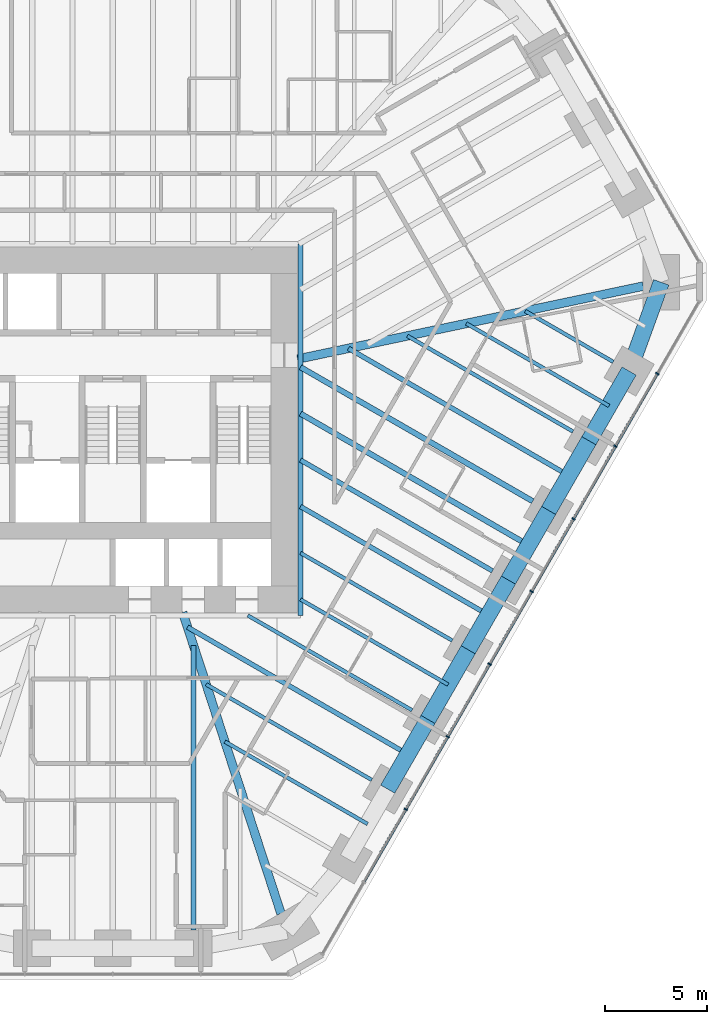
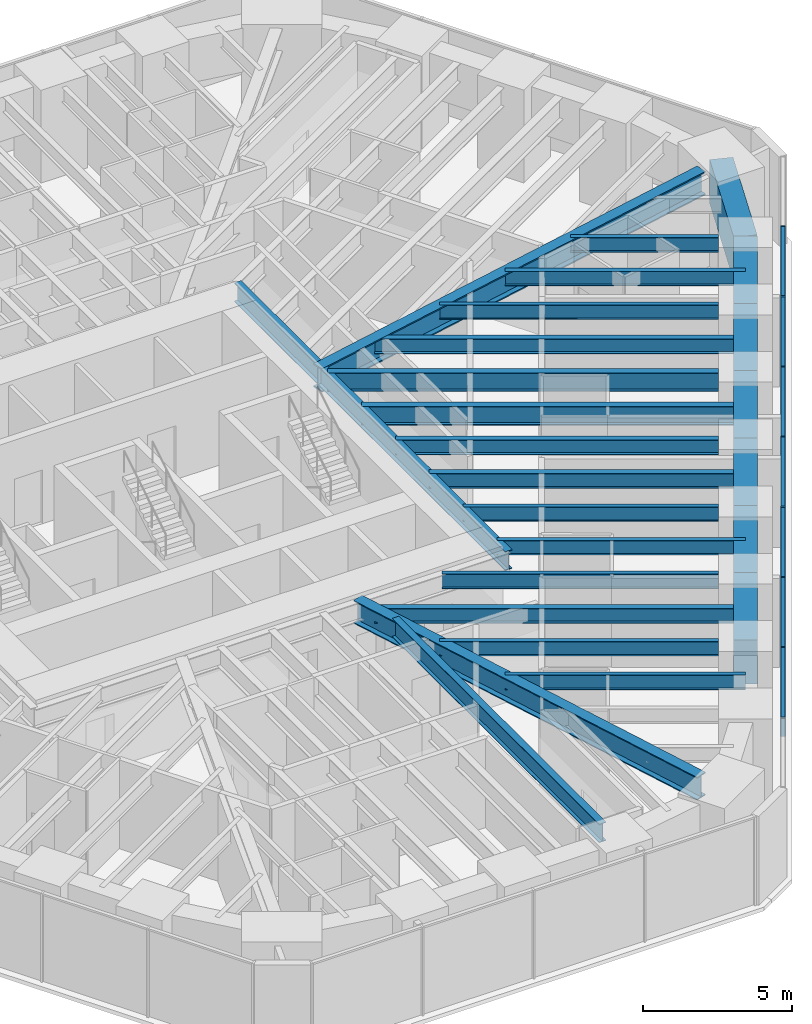
# One storey, part 5 of 17: 25 beams, 14 members, 1 element without a shape of its own.
"""IFC4 building model written with IfcOpenShell, lengths in metres."""

from ifc_helpers import new_model, si_unit, direction, frame, origin, origin_2d, place, context, subcontext, project, spatial, rectangle, i_section, extrude, material, material_profile, profile_set, type_object, element, aggregate, save


model = new_model("IFC4")

# Units and contexts
model_context = context("Model", 3, precision=1e-05, world=origin(), true_north=direction((0.0, 1.0)))
body_context = subcontext(model_context, "Body", "Model", "MODEL_VIEW")
ifc_project = project(units=[si_unit("LENGTHUNIT", "METRE"), si_unit("AREAUNIT", "SQUARE_METRE"), si_unit("VOLUMEUNIT", "CUBIC_METRE"), si_unit("PLANEANGLEUNIT", "RADIAN"), si_unit("MASSUNIT", "GRAM", prefix="KILO")], contexts=[model_context])

# Site, building, storey
site_placement = place(None, origin())
site = spatial("IfcSite", under=ifc_project, at=site_placement, CompositionType="ELEMENT")
building_placement = place(site_placement, origin())
building = spatial("IfcBuilding", under=site, at=building_placement, Name="Sandreach Pilgrim Tower", CompositionType="ELEMENT")
storey_placement = place(building_placement, frame((0.0, 0.0, 112.0)))
storey = spatial("IfcBuildingStorey", under=building, at=storey_placement, Name="L27", CompositionType="ELEMENT", Elevation=112.0)

# Curtain wall, members
ifc_material_1 = material(Name="Aluminium framed curtain wall", Category="aluminium")
curtain_wall_type = type_object("IfcCurtainWallType", Name="Hotel tower curtain wall", PredefinedType="NOTDEFINED", material=ifc_material_1)
curtain_wall_placement = place(storey_placement, origin())
curtain_wall = element("IfcCurtainWall", 1, at=curtain_wall_placement, inside=storey, type_object=curtain_wall_type, Name="CW-2 L27 SE", PredefinedType="NOTDEFINED")
ifc_material_2 = material(Name="Aluminium extrusion", Category="aluminium")
ifc_material_profile_1 = material_profile(ifc_material_2, rectangle(XDim=0.06494140625, YDim=0.179931640625, at=origin_2d()), Name="CW-2M 65X180")
ifc_profile_set_1 = profile_set([ifc_material_profile_1], Name="Aluminium extrusion")
member_type_1 = type_object("IfcMemberType", Name="CW-2 mullion", PredefinedType="MULLION", material=ifc_profile_set_1)
member_1_placement = place(storey_placement, frame((26.66748046875, 1.20166015625, 0.0), z_axis=(0.0, 0.0, 1.0), x_axis=(-0.5, -0.866025403784, 0.0)))
member_1 = element("IfcMember", 2, at=member_1_placement, type_object=member_type_1, Name="CW-2 mullion 2", PredefinedType="MULLION", context=body_context, shape_type="SweptSolid", body=[
    extrude(rectangle(XDim=0.06494140625, YDim=0.179931640625, at=origin_2d()), origin(), (0.0, 0.0, 1.0), 3.639892578125),
])
member_2_placement = place(storey_placement, frame((24.614013671875, -2.35498046875, 0.0), z_axis=(0.0, 0.0, 1.0), x_axis=(-0.5, -0.866025403784, 0.0)))
member_2 = element("IfcMember", 3, at=member_2_placement, type_object=member_type_1, Name="CW-2 mullion 3", PredefinedType="MULLION", context=body_context, shape_type="SweptSolid", body=[
    extrude(rectangle(XDim=0.06494140625, YDim=0.179931640625, at=origin_2d()), origin(), (0.0, 0.0, 1.0), 3.639892578125),
])
member_3_placement = place(storey_placement, frame((22.560302734375, -5.911865234375, 0.0), z_axis=(0.0, 0.0, 1.0), x_axis=(-0.5, -0.866025403784, 0.0)))
member_3 = element("IfcMember", 4, at=member_3_placement, type_object=member_type_1, Name="CW-2 mullion 4", PredefinedType="MULLION", context=body_context, shape_type="SweptSolid", body=[
    extrude(rectangle(XDim=0.06494140625, YDim=0.179931640625, at=origin_2d()), origin(), (0.0, 0.0, 1.0), 3.639892578125),
])
member_4_placement = place(storey_placement, frame((20.5068359375, -9.468505859375, 0.0), z_axis=(0.0, 0.0, 1.0), x_axis=(-0.5, -0.866025403784, 0.0)))
member_4 = element("IfcMember", 5, at=member_4_placement, type_object=member_type_1, Name="CW-2 mullion 5", PredefinedType="MULLION", context=body_context, shape_type="SweptSolid", body=[
    extrude(rectangle(XDim=0.06494140625, YDim=0.179931640625, at=origin_2d()), origin(), (0.0, 0.0, 1.0), 3.639892578125),
])
member_5_placement = place(storey_placement, frame((18.453369140625, -13.025146484375, 0.0), z_axis=(0.0, 0.0, 1.0), x_axis=(-0.5, -0.866025403784, 0.0)))
member_5 = element("IfcMember", 6, at=member_5_placement, type_object=member_type_1, Name="CW-2 mullion 6", PredefinedType="MULLION", context=body_context, shape_type="SweptSolid", body=[
    extrude(rectangle(XDim=0.06494140625, YDim=0.179931640625, at=origin_2d()), origin(), (0.0, 0.0, 1.0), 3.639892578125),
])
member_6_placement = place(storey_placement, frame((16.39990234375, -16.58203125, 0.0), z_axis=(0.0, 0.0, 1.0), x_axis=(-0.5, -0.866025403784, 0.0)))
member_6 = element("IfcMember", 7, at=member_6_placement, type_object=member_type_1, Name="CW-2 mullion 7", PredefinedType="MULLION", context=body_context, shape_type="SweptSolid", body=[
    extrude(rectangle(XDim=0.06494140625, YDim=0.179931640625, at=origin_2d()), origin(), (0.0, 0.0, 1.0), 3.639892578125),
])
member_7_placement = place(storey_placement, frame((14.346435546875, -20.138671875, 0.0), z_axis=(0.0, 0.0, 1.0), x_axis=(-0.5, -0.866025403784, 0.0)))
member_7 = element("IfcMember", 8, at=member_7_placement, type_object=member_type_1, Name="CW-2 mullion 8", PredefinedType="MULLION", context=body_context, shape_type="SweptSolid", body=[
    extrude(rectangle(XDim=0.06494140625, YDim=0.179931640625, at=origin_2d()), origin(), (0.0, 0.0, 1.0), 3.639892578125),
])
ifc_material_3 = material(Name="Aluminium extrusion", Category="aluminium")
ifc_material_profile_2 = material_profile(ifc_material_3, rectangle(XDim=0.139892578125, YDim=0.070068359375, at=origin_2d()), Name="CW-2T 140X70")
ifc_profile_set_2 = profile_set([ifc_material_profile_2], Name="Aluminium extrusion")
member_type_2 = type_object("IfcMemberType", Name="CW-2 transom", PredefinedType="USERDEFINED", material=ifc_profile_set_2)
member_8_placement = place(storey_placement, frame((26.651123046875, 1.173583984375, 3.60498046875), z_axis=(-0.499997818338, -0.866026663364, 0.0), x_axis=(0.866026663364, -0.499997818338, 0.0)))
member_8 = element("IfcMember", 9, at=member_8_placement, type_object=member_type_2, Name="CW-2 head transom 2", ObjectType="TRANSOM", PredefinedType="USERDEFINED", context=body_context, shape_type="SweptSolid", body=[
    extrude(rectangle(XDim=0.139892578125, YDim=0.070068359375, at=origin_2d()), origin(), (0.0, 0.0, 1.0), 4.0419921875),
])
member_9_placement = place(storey_placement, frame((24.59765625, -2.38330078125, 3.60498046875), z_axis=(-0.500023973715, -0.866011562111, 0.0), x_axis=(0.866011562111, -0.500023973715, 0.0)))
member_9 = element("IfcMember", 10, at=member_9_placement, type_object=member_type_2, Name="CW-2 head transom 3", ObjectType="TRANSOM", PredefinedType="USERDEFINED", context=body_context, shape_type="SweptSolid", body=[
    extrude(rectangle(XDim=0.139892578125, YDim=0.070068359375, at=origin_2d()), origin(), (0.0, 0.0, 1.0), 4.041748046875),
])
member_10_placement = place(storey_placement, frame((22.544189453125, -5.93994140625, 3.60498046875), z_axis=(-0.499997818338, -0.866026663364, 0.0), x_axis=(0.866026663364, -0.499997818338, 0.0)))
member_10 = element("IfcMember", 11, at=member_10_placement, type_object=member_type_2, Name="CW-2 head transom 4", ObjectType="TRANSOM", PredefinedType="USERDEFINED", context=body_context, shape_type="SweptSolid", body=[
    extrude(rectangle(XDim=0.139892578125, YDim=0.070068359375, at=origin_2d()), origin(), (0.0, 0.0, 1.0), 4.0419921875),
])
member_11_placement = place(storey_placement, frame((20.49072265625, -9.49658203125, 3.60498046875), z_axis=(-0.499997818338, -0.866026663364, 0.0), x_axis=(0.866026663364, -0.499997818338, 0.0)))
member_11 = element("IfcMember", 12, at=member_11_placement, type_object=member_type_2, Name="CW-2 head transom 5", ObjectType="TRANSOM", PredefinedType="USERDEFINED", context=body_context, shape_type="SweptSolid", body=[
    extrude(rectangle(XDim=0.139892578125, YDim=0.070068359375, at=origin_2d()), origin(), (0.0, 0.0, 1.0), 4.0419921875),
])
member_12_placement = place(storey_placement, frame((18.437255859375, -13.053466796875, 3.60498046875), z_axis=(-0.499997818338, -0.866026663364, 0.0), x_axis=(0.866026663364, -0.499997818338, 0.0)))
member_12 = element("IfcMember", 13, at=member_12_placement, type_object=member_type_2, Name="CW-2 head transom 6", ObjectType="TRANSOM", PredefinedType="USERDEFINED", context=body_context, shape_type="SweptSolid", body=[
    extrude(rectangle(XDim=0.139892578125, YDim=0.070068359375, at=origin_2d()), origin(), (0.0, 0.0, 1.0), 4.0419921875),
])
member_13_placement = place(storey_placement, frame((16.3837890625, -16.610107421875, 3.60498046875), z_axis=(-0.499997818338, -0.866026663364, 0.0), x_axis=(0.866026663364, -0.499997818338, 0.0)))
member_13 = element("IfcMember", 14, at=member_13_placement, type_object=member_type_2, Name="CW-2 head transom 7", ObjectType="TRANSOM", PredefinedType="USERDEFINED", context=body_context, shape_type="SweptSolid", body=[
    extrude(rectangle(XDim=0.139892578125, YDim=0.070068359375, at=origin_2d()), origin(), (0.0, 0.0, 1.0), 4.0419921875),
])
member_14_placement = place(storey_placement, frame((14.330322265625, -20.1669921875, 3.60498046875), z_axis=(-0.500023973715, -0.866011562111, 0.0), x_axis=(0.866011562111, -0.500023973715, 0.0)))
member_14 = element("IfcMember", 15, at=member_14_placement, type_object=member_type_2, Name="CW-2 head transom 8", ObjectType="TRANSOM", PredefinedType="USERDEFINED", context=body_context, shape_type="SweptSolid", body=[
    extrude(rectangle(XDim=0.139892578125, YDim=0.070068359375, at=origin_2d()), origin(), (0.0, 0.0, 1.0), 4.041748046875),
])
aggregate(curtain_wall, [member_1, member_2, member_3, member_4, member_5, member_6, member_7, member_8, member_9, member_10, member_11, member_12, member_13, member_14])

# Beams
ifc_material_4 = material(Name="Steel ASTM A992 Grade 50", Category="steel")
ifc_material_profile_3 = material_profile(ifc_material_4, i_section(OverallWidth=0.2666015625, OverallDepth=0.77978515625, WebThickness=0.0166015625, FlangeThickness=0.030029296875, at=origin_2d()), Name="W30X148")
ifc_profile_set_3 = profile_set([ifc_material_profile_3], Name="Steel ASTM A992 Grade 50")
beam_type_1 = type_object("IfcBeamType", Name="Core edge beam W30X148", PredefinedType="BEAM", material=ifc_profile_set_3)
beam_1_placement = place(storey_placement, frame((9.193359375, 7.54345703125, 3.25), z_axis=(0.0, -1.0, 0.0), x_axis=(1.0, 0.0, 0.0)))
element("IfcBeam", 16, at=beam_1_placement, inside=storey, type_object=beam_type_1, Name="BM L27 CEE", PredefinedType="BEAM", context=body_context, shape_type="SweptSolid", body=[
    extrude(i_section(OverallWidth=0.2666015625, OverallDepth=0.77978515625, WebThickness=0.0166015625, FlangeThickness=0.030029296875, at=origin_2d()), origin(), (0.0, 0.0, 1.0), 18.186767578125),
])
ifc_material_5 = material(Name="Steel ASTM A992 Grade 50", Category="steel")
ifc_material_profile_4 = material_profile(ifc_material_5, i_section(OverallWidth=0.421630859375, OverallDepth=0.937255859375, WebThickness=0.0224609375, FlangeThickness=0.039794921875, at=origin_2d()), Name="W36X282")
ifc_profile_set_4 = profile_set([ifc_material_profile_4], Name="Steel ASTM A992 Grade 50")
beam_type_2 = type_object("IfcBeamType", Name="Corner girder W36X282", PredefinedType="BEAM", material=ifc_profile_set_4)
beam_2_placement = place(storey_placement, frame((8.238525390625, -25.23876953125, 3.17138671875), z_axis=(-0.310307109519, 0.950636364643, 0.0), x_axis=(-0.950636364643, -0.310307109519, 0.0)))
element("IfcBeam", 17, at=beam_2_placement, inside=storey, type_object=beam_type_2, Name="BM L27 CG22", PredefinedType="BEAM", context=body_context, shape_type="SweptSolid", body=[
    extrude(i_section(OverallWidth=0.421630859375, OverallDepth=0.937255859375, WebThickness=0.0224609375, FlangeThickness=0.039794921875, at=origin_2d()), origin(), (0.0, 0.0, 1.0), 15.504150390625),
])
ifc_material_6 = material(Name="Steel ASTM A992 Grade 50", Category="steel")
ifc_material_profile_5 = material_profile(ifc_material_6, i_section(OverallWidth=0.424072265625, OverallDepth=0.965087890625, WebThickness=0.028564453125, FlangeThickness=0.051025390625, at=origin_2d()), Name="W36X361")
ifc_profile_set_5 = profile_set([ifc_material_profile_5], Name="Steel ASTM A992 Grade 50")
beam_type_3 = type_object("IfcBeamType", Name="Corner girder W36X361", PredefinedType="BEAM", material=ifc_profile_set_5)
beam_3_placement = place(storey_placement, frame((25.976806640625, 5.484619140625, 3.157470703125), z_axis=(-0.978427882284, -0.206588671447, 0.0), x_axis=(0.206588671447, -0.978427882284, 0.0)))
element("IfcBeam", 18, at=beam_3_placement, inside=storey, type_object=beam_type_3, Name="BM L27 CG13", PredefinedType="BEAM", context=body_context, shape_type="SweptSolid", body=[
    extrude(i_section(OverallWidth=0.424072265625, OverallDepth=0.965087890625, WebThickness=0.028564453125, FlangeThickness=0.051025390625, at=origin_2d()), origin(), (0.0, 0.0, 1.0), 17.300048828125),
])
ifc_material_7 = material(Name="Steel ASTM A992 Grade 50", Category="steel")
ifc_material_profile_6 = material_profile(ifc_material_7, i_section(OverallWidth=0.1787109375, OverallDepth=0.60205078125, WebThickness=0.010986328125, FlangeThickness=0.014892578125, at=origin_2d()), Name="W24X62")
ifc_profile_set_6 = profile_set([ifc_material_profile_6], Name="Steel ASTM A992 Grade 50")
beam_type_4 = type_object("IfcBeamType", Name="Floor beam W24X62", PredefinedType="BEAM", material=ifc_profile_set_6)
beam_4_placement = place(storey_placement, frame((24.50439453125, 1.775390625, 3.339111328125), z_axis=(-0.866024645457, 0.500001313459, 0.0), x_axis=(-0.500001313459, -0.866024645457, 0.0)))
element("IfcBeam", 19, at=beam_4_placement, inside=storey, type_object=beam_type_4, Name="BM L27 F14", PredefinedType="BEAM", context=body_context, shape_type="SweptSolid", body=[
    extrude(i_section(OverallWidth=0.1787109375, OverallDepth=0.60205078125, WebThickness=0.010986328125, FlangeThickness=0.014892578125, at=origin_2d()), origin(), (0.0, 0.0, 1.0), 4.9765625),
])
beam_5_placement = place(storey_placement, frame((22.534423828125, -1.63671875, 3.339111328125), z_axis=(-0.866012351917, 0.500022605817, 0.0), x_axis=(-0.500022605817, -0.866012351917, 0.0)))
element("IfcBeam", 20, at=beam_5_placement, inside=storey, type_object=beam_type_4, Name="BM L27 F15", PredefinedType="BEAM", context=body_context, shape_type="SweptSolid", body=[
    extrude(i_section(OverallWidth=0.1787109375, OverallDepth=0.60205078125, WebThickness=0.010986328125, FlangeThickness=0.014892578125, at=origin_2d()), origin(), (0.0, 0.0, 1.0), 9.3642578125),
])
beam_6_placement = place(storey_placement, frame((16.62451171875, -11.873046875, 3.339111328125), z_axis=(-0.866017857595, 0.500013070155, 0.0), x_axis=(-0.500013070155, -0.866017857595, 0.0)))
element("IfcBeam", 21, at=beam_6_placement, inside=storey, type_object=beam_type_4, Name="BM L27 F18", PredefinedType="BEAM", context=body_context, shape_type="SweptSolid", body=[
    extrude(i_section(OverallWidth=0.1787109375, OverallDepth=0.60205078125, WebThickness=0.010986328125, FlangeThickness=0.014892578125, at=origin_2d()), origin(), (0.0, 0.0, 1.0), 8.580810546875),
])
beam_7_placement = place(storey_placement, frame((14.654541015625, -15.28515625, 3.339111328125), z_axis=(-0.866015659929, 0.500016876472, 0.0), x_axis=(-0.500016876472, -0.866015659929, 0.0)))
element("IfcBeam", 22, at=beam_7_placement, inside=storey, type_object=beam_type_4, Name="BM L27 F19", PredefinedType="BEAM", context=body_context, shape_type="SweptSolid", body=[
    extrude(i_section(OverallWidth=0.1787109375, OverallDepth=0.60205078125, WebThickness=0.010986328125, FlangeThickness=0.014892578125, at=origin_2d()), origin(), (0.0, 0.0, 1.0), 9.283447265625),
])
beam_8_placement = place(storey_placement, frame((12.6845703125, -18.697265625, 3.339111328125), z_axis=(-0.866012351917, 0.500022605817, 0.0), x_axis=(-0.500022605817, -0.866012351917, 0.0)))
element("IfcBeam", 23, at=beam_8_placement, inside=storey, type_object=beam_type_4, Name="BM L27 F20", PredefinedType="BEAM", context=body_context, shape_type="SweptSolid", body=[
    extrude(i_section(OverallWidth=0.1787109375, OverallDepth=0.60205078125, WebThickness=0.010986328125, FlangeThickness=0.014892578125, at=origin_2d()), origin(), (0.0, 0.0, 1.0), 9.3642578125),
])
beam_9_placement = place(storey_placement, frame((24.298828125, -0.380615234375, 3.339111328125), z_axis=(-0.866022864518, 0.500004398112, 0.0), x_axis=(-0.500004398112, -0.866022864518, 0.0)))
element("IfcBeam", 24, at=beam_9_placement, inside=storey, type_object=beam_type_4, Name="BM L27 FM14", PredefinedType="BEAM", context=body_context, shape_type="SweptSolid", body=[
    extrude(i_section(OverallWidth=0.1787109375, OverallDepth=0.60205078125, WebThickness=0.010986328125, FlangeThickness=0.014892578125, at=origin_2d()), origin(), (0.0, 0.0, 1.0), 8.0703125),
])
beam_10_placement = place(storey_placement, frame((16.4189453125, -14.029052734375, 3.339111328125), z_axis=(-0.866016009309, 0.500016271356, 0.0), x_axis=(-0.500016271356, -0.866016009309, 0.0)))
element("IfcBeam", 25, at=beam_10_placement, inside=storey, type_object=beam_type_4, Name="BM L27 FM18", PredefinedType="BEAM", context=body_context, shape_type="SweptSolid", body=[
    extrude(i_section(OverallWidth=0.1787109375, OverallDepth=0.60205078125, WebThickness=0.010986328125, FlangeThickness=0.014892578125, at=origin_2d()), origin(), (0.0, 0.0, 1.0), 8.343505859375),
])
beam_11_placement = place(storey_placement, frame((12.47900390625, -20.853271484375, 3.339111328125), z_axis=(-0.866017328257, 0.500013986963, 0.0), x_axis=(-0.500013986963, -0.866017328257, 0.0)))
element("IfcBeam", 26, at=beam_11_placement, inside=storey, type_object=beam_type_4, Name="BM L27 FM20", PredefinedType="BEAM", context=body_context, shape_type="SweptSolid", body=[
    extrude(i_section(OverallWidth=0.1787109375, OverallDepth=0.60205078125, WebThickness=0.010986328125, FlangeThickness=0.014892578125, at=origin_2d()), origin(), (0.0, 0.0, 1.0), 8.070556640625),
])
ifc_material_8 = material(Name="Steel ASTM A992 Grade 50", Category="steel")
ifc_material_profile_7 = material_profile(ifc_material_8, i_section(OverallWidth=0.23046875, OverallDepth=0.6171875, WebThickness=0.01318359375, FlangeThickness=0.022216796875, at=origin_2d()), Name="W24X94")
ifc_profile_set_7 = profile_set([ifc_material_profile_7], Name="Steel ASTM A992 Grade 50")
beam_type_5 = type_object("IfcBeamType", Name="Floor beam W24X94", PredefinedType="BEAM", material=ifc_profile_set_7)
beam_12_placement = place(storey_placement, frame((18.594482421875, -8.4609375, 3.331298828125), z_axis=(-0.866015926388, 0.500016414973, 0.0), x_axis=(-0.500016414973, -0.866015926388, 0.0)))
element("IfcBeam", 27, at=beam_12_placement, inside=storey, type_object=beam_type_5, Name="BM L27 F17", PredefinedType="BEAM", context=body_context, shape_type="SweptSolid", body=[
    extrude(i_section(OverallWidth=0.23046875, OverallDepth=0.6171875, WebThickness=0.01318359375, FlangeThickness=0.022216796875, at=origin_2d()), origin(), (0.0, 0.0, 1.0), 10.855712890625),
])
beam_13_placement = place(storey_placement, frame((22.328857421875, -3.792724609375, 3.331298828125), z_axis=(-0.866019150617, 0.500010830648, 0.0), x_axis=(-0.500010830648, -0.866019150617, 0.0)))
element("IfcBeam", 28, at=beam_13_placement, inside=storey, type_object=beam_type_5, Name="BM L27 FM15", PredefinedType="BEAM", context=body_context, shape_type="SweptSolid", body=[
    extrude(i_section(OverallWidth=0.23046875, OverallDepth=0.6171875, WebThickness=0.01318359375, FlangeThickness=0.022216796875, at=origin_2d()), origin(), (0.0, 0.0, 1.0), 12.458251953125),
])
beam_14_placement = place(storey_placement, frame((18.388916015625, -10.616943359375, 3.331298828125), z_axis=(-0.866024387147, 0.500001760863, 0.0), x_axis=(-0.500001760863, -0.866024387147, 0.0)))
element("IfcBeam", 29, at=beam_14_placement, inside=storey, type_object=beam_type_5, Name="BM L27 FM17", PredefinedType="BEAM", context=body_context, shape_type="SweptSolid", body=[
    extrude(i_section(OverallWidth=0.23046875, OverallDepth=0.6171875, WebThickness=0.01318359375, FlangeThickness=0.022216796875, at=origin_2d()), origin(), (0.0, 0.0, 1.0), 10.6181640625),
])
beam_15_placement = place(storey_placement, frame((14.448974609375, -17.441162109375, 3.331298828125), z_axis=(-0.866019150617, 0.500010830648, 0.0), x_axis=(-0.500010830648, -0.866019150617, 0.0)))
element("IfcBeam", 30, at=beam_15_placement, inside=storey, type_object=beam_type_5, Name="BM L27 FM19", PredefinedType="BEAM", context=body_context, shape_type="SweptSolid", body=[
    extrude(i_section(OverallWidth=0.23046875, OverallDepth=0.6171875, WebThickness=0.01318359375, FlangeThickness=0.022216796875, at=origin_2d()), origin(), (0.0, 0.0, 1.0), 12.458251953125),
])
ifc_material_9 = material(Name="Steel ASTM A992 Grade 50", Category="steel")
ifc_material_profile_8 = material_profile(ifc_material_9, i_section(OverallWidth=0.2666015625, OverallDepth=0.761962890625, WebThickness=0.014404296875, FlangeThickness=0.021484375, at=origin_2d()), Name="W30X116")
ifc_profile_set_8 = profile_set([ifc_material_profile_8], Name="Steel ASTM A992 Grade 50")
beam_type_6 = type_object("IfcBeamType", Name="Floor beam W30X116", PredefinedType="BEAM", material=ifc_profile_set_8)
beam_16_placement = place(storey_placement, frame((20.564453125, -5.048828125, 3.259033203125), z_axis=(-0.866022715736, 0.500004655807, 0.0), x_axis=(-0.500004655807, -0.866022715736, 0.0)))
element("IfcBeam", 31, at=beam_16_placement, inside=storey, type_object=beam_type_6, Name="BM L27 F16", PredefinedType="BEAM", context=body_context, shape_type="SweptSolid", body=[
    extrude(i_section(OverallWidth=0.2666015625, OverallDepth=0.761962890625, WebThickness=0.014404296875, FlangeThickness=0.021484375, at=origin_2d()), origin(), (0.0, 0.0, 1.0), 13.130126953125),
])
beam_17_placement = place(storey_placement, frame((3.955322265625, -26.0322265625, 3.259033203125), z_axis=(0.0, 1.0, 0.0), x_axis=(-1.0, 0.0, 0.0)))
element("IfcBeam", 32, at=beam_17_placement, inside=storey, type_object=beam_type_6, Name="BM L27 F23", PredefinedType="BEAM", context=body_context, shape_type="SweptSolid", body=[
    extrude(i_section(OverallWidth=0.2666015625, OverallDepth=0.761962890625, WebThickness=0.014404296875, FlangeThickness=0.021484375, at=origin_2d()), origin(), (0.0, 0.0, 1.0), 13.91552734375),
])
beam_18_placement = place(storey_placement, frame((20.35888671875, -7.204833984375, 3.259033203125), z_axis=(-0.866021609098, 0.500006572533, 0.0), x_axis=(-0.500006572533, -0.866021609098, 0.0)))
element("IfcBeam", 33, at=beam_18_placement, inside=storey, type_object=beam_type_6, Name="BM L27 FM16", PredefinedType="BEAM", context=body_context, shape_type="SweptSolid", body=[
    extrude(i_section(OverallWidth=0.2666015625, OverallDepth=0.761962890625, WebThickness=0.014404296875, FlangeThickness=0.021484375, at=origin_2d()), origin(), (0.0, 0.0, 1.0), 12.892822265625),
])
ifc_material_10 = material(Name="Concrete 10000 psi", Category="concrete")
ifc_material_profile_9 = material_profile(ifc_material_10, rectangle(XDim=0.800048828125, YDim=1.800048828125, at=origin_2d()), Name="RC800X1800")
ifc_profile_set_9 = profile_set([ifc_material_profile_9], Name="Concrete 10000 psi")
beam_type_7 = type_object("IfcBeamType", Name="Spandrel beam RC800X1800", PredefinedType="SPANDREL", material=ifc_profile_set_9)
beam_19_placement = place(storey_placement, frame((26.857177734375, 5.67041015625, 2.739990234375), z_axis=(-0.340453163563, -0.940261476091, 0.0), x_axis=(0.940261476091, -0.340453163563, 0.0)))
element("IfcBeam", 34, at=beam_19_placement, inside=storey, type_object=beam_type_7, Name="BM L27 SP13", PredefinedType="SPANDREL", context=body_context, shape_type="SweptSolid", body=[
    extrude(rectangle(XDim=0.800048828125, YDim=1.800048828125, at=origin_2d()), origin(), (0.0, 0.0, 1.0), 4.62109375),
])
for number, where, z_axis, x_axis, name in (
    (35, (25.283935546875, 1.325439453125, 2.739990234375), (-0.49999779889, -0.866026674592, 0.0), (0.866026674592, -0.49999779889, 0.0), "BM L27 SP14"),
    (36, (23.31396484375, -2.086669921875, 2.739990234375), (-0.49999779889, -0.866026674592, 0.0), (0.866026674592, -0.49999779889, 0.0), "BM L27 SP15"),
    (37, (21.343994140625, -5.498779296875, 2.739990234375), (-0.49999779889, -0.866026674592, 0.0), (0.866026674592, -0.49999779889, 0.0), "BM L27 SP16"),
    (38, (19.3740234375, -8.910888671875, 2.739990234375), (-0.49999779889, -0.866026674592, 0.0), (0.866026674592, -0.49999779889, 0.0), "BM L27 SP17"),
    (39, (17.404052734375, -12.322998046875, 2.739990234375), (-0.49999779889, -0.866026674592, 0.0), (0.866026674592, -0.49999779889, 0.0), "BM L27 SP18"),
    (40, (15.43408203125, -15.735107421875, 2.739990234375), (-0.49999779889, -0.866026674592, 0.0), (0.866026674592, -0.49999779889, 0.0), "BM L27 SP19"),
):
    element("IfcBeam", number, at=place(storey_placement, frame(where, z_axis=z_axis, x_axis=x_axis)), inside=storey, type_object=beam_type_7, Name=name, PredefinedType="SPANDREL", context=body_context, shape_type="SweptSolid", body=[
        extrude(rectangle(XDim=0.800048828125, YDim=1.800048828125, at=origin_2d()), origin(), (0.0, 0.0, 1.0), 3.93994140625),
    ])

save(model, "model.ifc")
